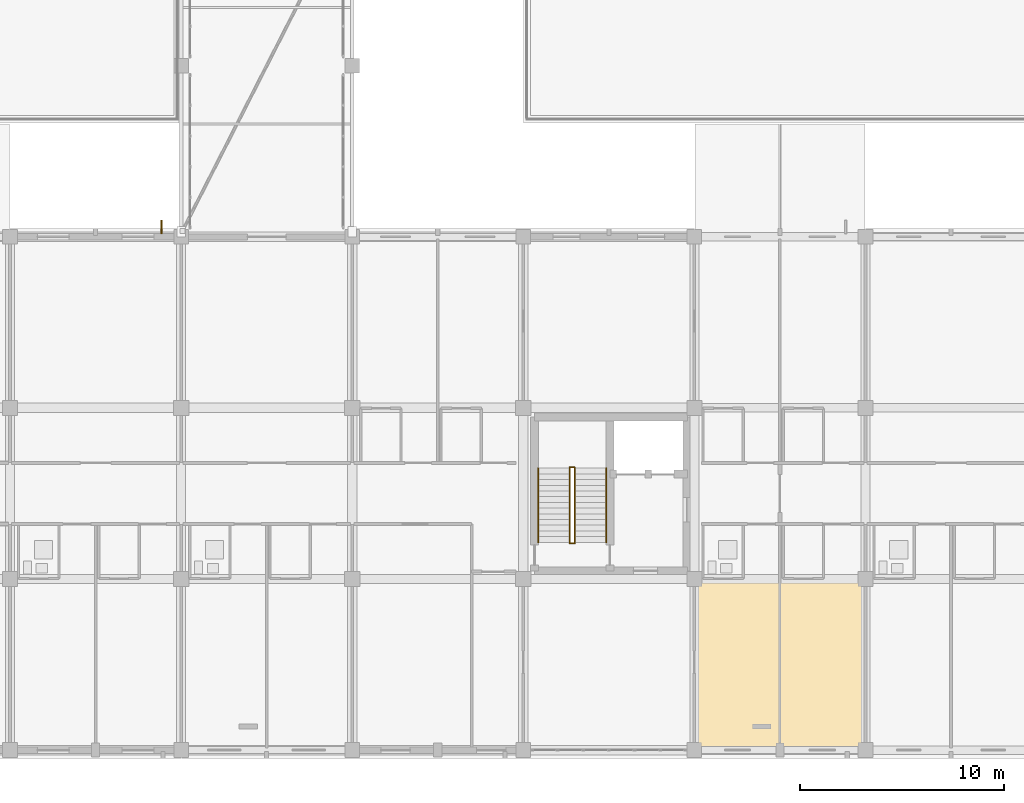
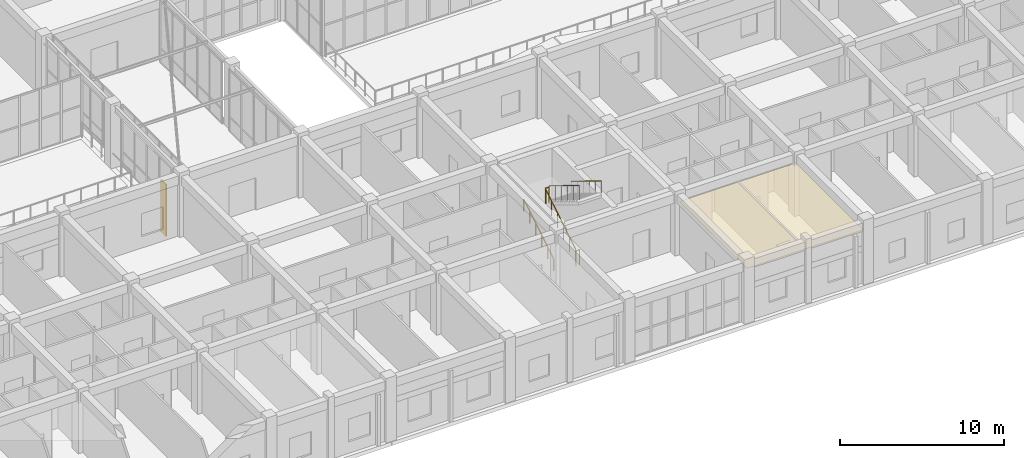
# One storey, part 148 of 158: 6 railings, 1 covering, 1 shading device.
"""IFC4 building model written with IfcOpenShell, lengths in metres."""

from ifc_helpers import new_model, si_unit, direction, frame, origin, origin_2d, place, context, subcontext, project, spatial, polyline, rectangle, circle, outline, extrude, material, layer, layer_set, type_object, element, save


model = new_model("IFC4")

# Units and contexts
model_context = context("Model", 3, precision=1e-05, world=origin(), true_north=direction((0.0, 1.0)))
body_context = subcontext(model_context, "Body", "Model", "MODEL_VIEW")
ifc_project = project(units=[si_unit("LENGTHUNIT", "METRE"), si_unit("AREAUNIT", "SQUARE_METRE"), si_unit("VOLUMEUNIT", "CUBIC_METRE"), si_unit("PLANEANGLEUNIT", "RADIAN"), si_unit("MASSUNIT", "GRAM", prefix="KILO")], contexts=[model_context])

# Site, building, storey
site_placement = place(None, origin())
site = spatial("IfcSite", under=ifc_project, at=site_placement, CompositionType="ELEMENT")
building_placement = place(site_placement, origin())
building = spatial("IfcBuilding", under=site, at=building_placement, Name="Trelvath General Hospital", CompositionType="ELEMENT")
storey_placement = place(building_placement, frame((0.0, 0.0, 8.10009765625)))
storey = spatial("IfcBuildingStorey", under=building, at=storey_placement, Name="L02", CompositionType="ELEMENT", Elevation=8.10009765625)

# Covering
ifc_material_1 = material(Name="Hygienic acoustic ceiling tile")
ifc_layer = layer(ifc_material_1, 0.02490234375)
ifc_layer_set = layer_set([ifc_layer], Name="Hygienic acoustic ceiling tile")
covering_type = type_object("IfcCoveringType", Name="Ceiling ClinicalAcoustic", PredefinedType="CEILING", material=ifc_layer_set)
covering_placement = place(storey_placement, frame((0.0, 0.0, 3.719970703125)))
element("IfcCovering", 1, at=covering_placement, inside=storey, type_object=covering_type, Name="Clinical Acoustic Ceiling L02-30", PredefinedType="CEILING", context=body_context, shape_type="SweptSolid", body=[
    extrude(outline(polyline([(100.89990234375, 0.10009765625), (109.10009765625, 0.10009765625), (109.10009765625, 8.320068359375), (100.89990234375, 8.320068359375), (100.89990234375, 0.10009765625)])), origin(), (0.0, 0.0, 1.0), 0.02490234375),
])

# Railings
ifc_material_2 = material(Name="Architectural painted steel", Category="steel")
railing_type_1 = type_object("IfcRailingType", Name="Guardrail Terrace1150", PredefinedType="GUARDRAIL", material=ifc_material_2)
railing_1_placement = place(storey_placement, frame((94.669921875, 10.159912109375, 0.0)))
element("IfcRailing", 2, at=railing_1_placement, inside=storey, type_object=railing_type_1, Name="Stair Well Edge Guard C5 L02 168", PredefinedType="GUARDRAIL", context=body_context, shape_type="SweptSolid", body=[
    extrude(circle(Radius=0.02392578125, at=origin_2d()), frame((0.0, 0.0, 1.1259765625), z_axis=(1.0, 0.0, 0.0), x_axis=(0.0, 1.0, 0.0)), (0.0, 0.0, 1.0), 0.260009765625),
    extrude(circle(Radius=0.02099609375, at=origin_2d()), origin(), (0.0, 0.0, 1.0), 1.099853515625),
    extrude(circle(Radius=0.02099609375, at=origin_2d()), frame((0.260009765625, 0.0, 0.0)), (0.0, 0.0, 1.0), 1.099853515625),
])
railing_2_placement = place(storey_placement, frame((94.929931640625, 13.840087890625, 2.5712890625)))
element("IfcRailing", 3, at=railing_2_placement, inside=storey, type_object=railing_type_1, Name="Stair Rail ST5 L02 F2 L 170", PredefinedType="GUARDRAIL", context=body_context, shape_type="SweptSolid", body=[
    extrude(circle(Radius=0.02392578125, at=origin_2d()), frame((0.0, 0.0, 1.076171875), z_axis=(0.0, -0.852865859571, 0.52213008492), x_axis=(1.0, 0.0, 0.0)), (0.0, 0.0, 1.0), 4.26806640625),
    extrude(circle(Radius=0.02099609375, at=origin_2d()), origin(), (0.0, 0.0, 1.0), 1.050048828125),
    extrude(circle(Radius=0.02099609375, at=origin_2d()), frame((0.0, -0.72802734375, 0.44580078125)), (0.0, 0.0, 1.0), 1.050048828125),
    extrude(circle(Radius=0.02099609375, at=origin_2d()), frame((0.0, -1.4560546875, 0.891357421875)), (0.0, 0.0, 1.0), 1.050048828125),
    extrude(circle(Radius=0.02099609375, at=origin_2d()), frame((0.0, -2.18408203125, 1.337158203125)), (0.0, 0.0, 1.0), 1.050048828125),
    extrude(circle(Radius=0.02099609375, at=origin_2d()), frame((0.0, -2.912109375, 1.78271484375)), (0.0, 0.0, 1.0), 1.050048828125),
    extrude(circle(Radius=0.02099609375, at=origin_2d()), frame((0.0, -3.64013671875, 2.228515625)), (0.0, 0.0, 1.0), 1.050048828125),
])
railing_3_placement = place(storey_placement, frame((94.669921875, 10.199951171875, 0.17138671875)))
element("IfcRailing", 4, at=railing_3_placement, inside=storey, type_object=railing_type_1, Name="Stair Rail ST5 L02 F1 R 171", PredefinedType="GUARDRAIL", context=body_context, shape_type="SweptSolid", body=[
    extrude(circle(Radius=0.02392578125, at=origin_2d()), frame((0.0, 0.0, 1.076171875), z_axis=(0.0, 0.852865859571, 0.52213008492), x_axis=(-1.0, 0.0, 0.0)), (0.0, 0.0, 1.0), 4.26806640625),
    extrude(circle(Radius=0.02099609375, at=origin_2d()), origin(), (0.0, 0.0, 1.0), 1.050048828125),
    extrude(circle(Radius=0.02099609375, at=origin_2d()), frame((0.0, 0.72802734375, 0.44580078125)), (0.0, 0.0, 1.0), 1.050048828125),
    extrude(circle(Radius=0.02099609375, at=origin_2d()), frame((0.0, 1.4560546875, 0.891357421875)), (0.0, 0.0, 1.0), 1.050048828125),
    extrude(circle(Radius=0.02099609375, at=origin_2d()), frame((0.0, 2.18408203125, 1.337158203125)), (0.0, 0.0, 1.0), 1.050048828125),
    extrude(circle(Radius=0.02099609375, at=origin_2d()), frame((0.0, 2.912109375, 1.78271484375)), (0.0, 0.0, 1.0), 1.050048828125),
    extrude(circle(Radius=0.02099609375, at=origin_2d()), frame((0.0, 3.64013671875, 2.228515625)), (0.0, 0.0, 1.0), 1.050048828125),
])
railing_4_placement = place(storey_placement, frame((94.669921875, 13.8798828125, 2.39990234375)))
element("IfcRailing", 5, at=railing_4_placement, inside=storey, type_object=railing_type_1, Name="Half-Landing Well Guard ST5 L02 173", PredefinedType="GUARDRAIL", context=body_context, shape_type="SweptSolid", body=[
    extrude(circle(Radius=0.02392578125, at=origin_2d()), frame((0.0, 0.0, 1.1259765625), z_axis=(1.0, 0.0, 0.0), x_axis=(0.0, 1.0, 0.0)), (0.0, 0.0, 1.0), 0.260009765625),
    extrude(circle(Radius=0.02099609375, at=origin_2d()), origin(), (0.0, 0.0, 1.0), 1.099853515625),
    extrude(circle(Radius=0.02099609375, at=origin_2d()), frame((0.260009765625, 0.0, 0.0)), (0.0, 0.0, 1.0), 1.099853515625),
])
ifc_material_3 = material(Name="Brushed stainless steel", Category="steel")
railing_type_2 = type_object("IfcRailingType", Name="Handrail Stair900", PredefinedType="HANDRAIL", material=ifc_material_3)
railing_5_placement = place(storey_placement, frame((93.1298828125, 10.199951171875, 0.17138671875)))
element("IfcRailing", 6, at=railing_5_placement, inside=storey, type_object=railing_type_2, Name="Stair Rail ST5 L02 F1 L 169", PredefinedType="HANDRAIL", context=body_context, shape_type="SweptSolid", body=[
    extrude(circle(Radius=0.02392578125, at=origin_2d()), frame((0.0, 0.0, 0.8759765625), z_axis=(0.0, 0.852865859571, 0.52213008492), x_axis=(-1.0, 0.0, 0.0)), (0.0, 0.0, 1.0), 4.26806640625),
    extrude(circle(Radius=0.02099609375, at=origin_2d()), origin(), (0.0, 0.0, 1.0), 0.849853515625),
    extrude(circle(Radius=0.02099609375, at=origin_2d()), frame((0.0, 0.72802734375, 0.44580078125)), (0.0, 0.0, 1.0), 0.849853515625),
    extrude(circle(Radius=0.02099609375, at=origin_2d()), frame((0.0, 1.4560546875, 0.891357421875)), (0.0, 0.0, 1.0), 0.849853515625),
    extrude(circle(Radius=0.02099609375, at=origin_2d()), frame((0.0, 2.18408203125, 1.337158203125)), (0.0, 0.0, 1.0), 0.849853515625),
    extrude(circle(Radius=0.02099609375, at=origin_2d()), frame((0.0, 2.912109375, 1.78271484375)), (0.0, 0.0, 1.0), 0.849853515625),
    extrude(circle(Radius=0.02099609375, at=origin_2d()), frame((0.0, 3.64013671875, 2.228515625)), (0.0, 0.0, 1.0), 0.849853515625),
])
railing_6_placement = place(storey_placement, frame((96.469970703125, 13.840087890625, 2.5712890625)))
element("IfcRailing", 7, at=railing_6_placement, inside=storey, type_object=railing_type_2, Name="Stair Rail ST5 L02 F2 R 172", PredefinedType="HANDRAIL", context=body_context, shape_type="SweptSolid", body=[
    extrude(circle(Radius=0.02392578125, at=origin_2d()), frame((0.0, 0.0, 0.8759765625), z_axis=(0.0, -0.852865859571, 0.52213008492), x_axis=(1.0, 0.0, 0.0)), (0.0, 0.0, 1.0), 4.26806640625),
    extrude(circle(Radius=0.02099609375, at=origin_2d()), origin(), (0.0, 0.0, 1.0), 0.849853515625),
    extrude(circle(Radius=0.02099609375, at=origin_2d()), frame((0.0, -0.72802734375, 0.44580078125)), (0.0, 0.0, 1.0), 0.849853515625),
    extrude(circle(Radius=0.02099609375, at=origin_2d()), frame((0.0, -1.4560546875, 0.891357421875)), (0.0, 0.0, 1.0), 0.849853515625),
    extrude(circle(Radius=0.02099609375, at=origin_2d()), frame((0.0, -2.18408203125, 1.337158203125)), (0.0, 0.0, 1.0), 0.849853515625),
    extrude(circle(Radius=0.02099609375, at=origin_2d()), frame((0.0, -2.912109375, 1.78271484375)), (0.0, 0.0, 1.0), 0.849853515625),
    extrude(circle(Radius=0.02099609375, at=origin_2d()), frame((0.0, -3.64013671875, 2.228515625)), (0.0, 0.0, 1.0), 0.849853515625),
])

# Shading device
ifc_material_4 = material(Name="Anodised aluminium", Category="aluminium")
shading_device_type = type_object("IfcShadingDeviceType", Name="SolarScreen PerforatedAlu", PredefinedType="JALOUSIE", material=ifc_material_4)
shading_device_placement = place(storey_placement, frame((74.6298828125, 25.679931640625, 0.0), z_axis=(0.0, 0.0, 1.0), x_axis=(0.0, 1.0, 0.0)))
element("IfcShadingDevice", 8, at=shading_device_placement, inside=storey, type_object=shading_device_type, Name="Solar Brise-Soleil Screen L02-40", PredefinedType="JALOUSIE", context=body_context, shape_type="SweptSolid", body=[
    extrude(rectangle(XDim=0.64990234375, YDim=0.080078125, at=origin_2d()), origin(), (0.0, 0.0, 1.0), 3.860107421875),
])

save(model, "model.ifc")
